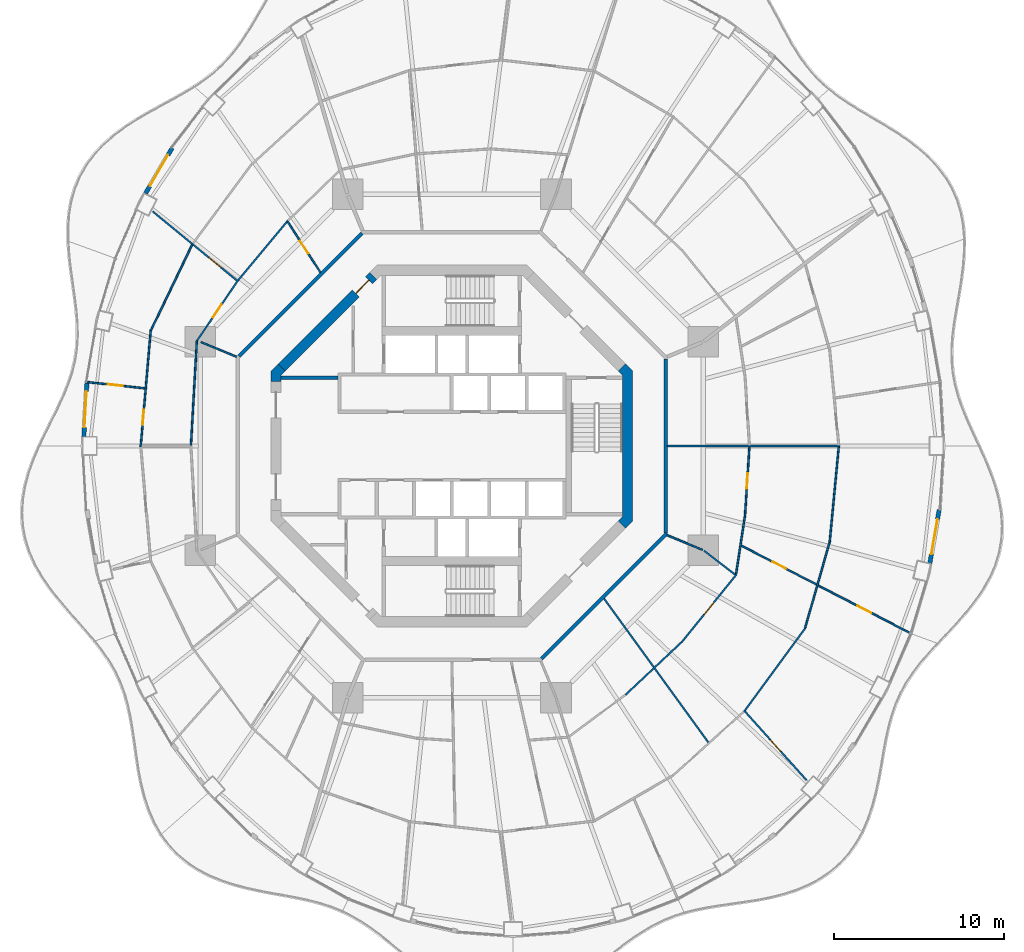
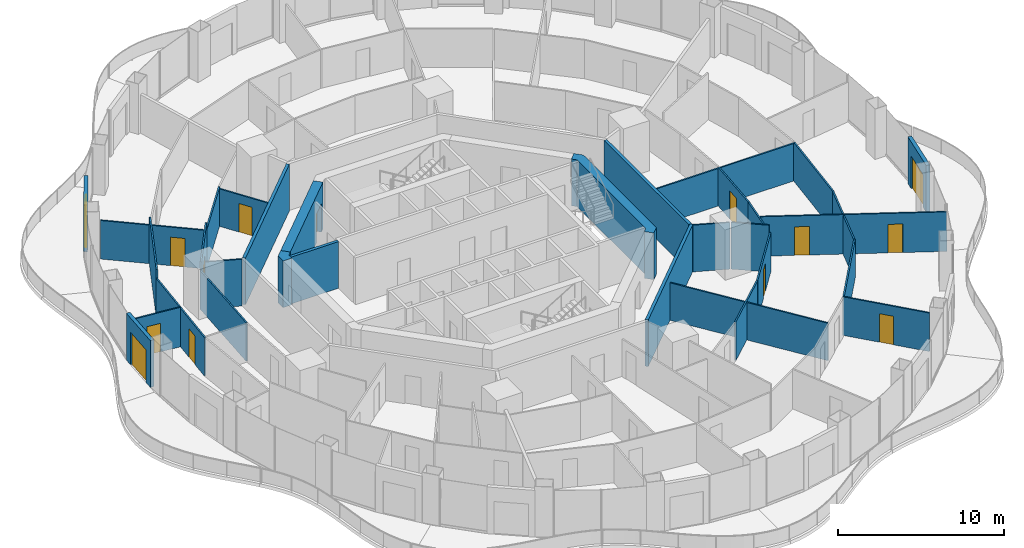
# One storey, part 13 of 19: 32 walls, 14 doors, 14 openings.
"""IFC4 building model written with IfcOpenShell, lengths in metres."""

from ifc_helpers import new_model, si_unit, direction, frame, frame_2d, origin, place, context, subcontext, project, spatial, polyline, rectangle, outline, extrude, material, layer, layer_set, type_object, element, fill, save


model = new_model("IFC4")

# Units and contexts
model_context = context("Model", 3, precision=1e-05, world=origin(), true_north=direction((0.0, 1.0)))
body_context = subcontext(model_context, "Body", "Model", "MODEL_VIEW")
ifc_project = project(units=[si_unit("LENGTHUNIT", "METRE"), si_unit("AREAUNIT", "SQUARE_METRE"), si_unit("VOLUMEUNIT", "CUBIC_METRE"), si_unit("PLANEANGLEUNIT", "RADIAN"), si_unit("MASSUNIT", "GRAM", prefix="KILO")], contexts=[model_context])

# Site, building, storey
site_placement = place(None, origin())
site = spatial("IfcSite", under=ifc_project, at=site_placement, CompositionType="ELEMENT")
building_placement = place(site_placement, origin())
building = spatial("IfcBuilding", under=site, at=building_placement, Name="Nagisa Residences", CompositionType="ELEMENT")
storey_placement = place(building_placement, frame((0.0, 0.0, 199.199951171875)))
storey = spatial("IfcBuildingStorey", under=building, at=storey_placement, Name="L50", CompositionType="ELEMENT", Elevation=199.199951171875)

# Walls
ifc_material_1 = material(Name="Gypsum board on steel studs", Category="steel")
ifc_layer_1 = layer(ifc_material_1, 0.199951171875)
ifc_layer_set_1 = layer_set([ifc_layer_1], Name="Apartment entry wall EI60 200")
wall_type_1 = type_object("IfcWallType", Name="Apartment entry wall EI60 200", PredefinedType="PARTITIONING", material=ifc_layer_set_1)
wall_1_placement = place(storey_placement, frame((12.564697265625, -5.1044921875, 0.0), z_axis=(0.0, 0.0, 1.0), x_axis=(0.0, 1.0, 0.0)))
element("IfcWall", 1, at=wall_1_placement, inside=storey, type_object=wall_type_1, Name="wall:L50:u06", PredefinedType="PARTITIONING", context=body_context, shape_type="SweptSolid", body=[
    extrude(rectangle(XDim=10.208984375, YDim=0.199951171875, at=frame_2d((5.1044921875, 0.0))), origin(), (0.0, 0.0, 1.0), 3.43994140625),
])
wall_2_placement = place(storey_placement, frame((-5.275146484375, 12.494140625, 0.0), z_axis=(0.0, 0.0, 1.0), x_axis=(-0.707106781187, -0.707106781187, 0.0)))
element("IfcWall", 2, at=wall_2_placement, inside=storey, type_object=wall_type_1, Name="wall:L50:u09", PredefinedType="PARTITIONING", context=body_context, shape_type="SweptSolid", body=[
    extrude(rectangle(XDim=10.209228515625, YDim=0.199951171875, at=frame_2d((5.1044921875, 0.0))), origin(), (0.0, 0.0, 1.0), 3.43994140625),
])
wall_3_placement = place(storey_placement, frame((5.275146484375, -12.494140625, 0.0), z_axis=(0.0, 0.0, 1.0), x_axis=(0.707106781187, 0.707106781187, 0.0)))
element("IfcWall", 3, at=wall_3_placement, inside=storey, type_object=wall_type_1, Name="wall:L50:u13", PredefinedType="PARTITIONING", context=body_context, shape_type="SweptSolid", body=[
    extrude(rectangle(XDim=10.4091796875, YDim=0.199951171875, at=frame_2d((5.20458984375, 0.0))), origin(), (0.0, 0.0, 1.0), 3.43994140625),
])
ifc_material_2 = material(Name="Gypsum board on steel studs", Category="steel")
ifc_layer_2 = layer(ifc_material_2, 0.10009765625)
ifc_layer_set_2 = layer_set([ifc_layer_2], Name="Apartment partition 100")
wall_type_2 = type_object("IfcWallType", Name="Apartment partition 100", PredefinedType="PARTITIONING", material=ifc_layer_set_2)
wall_4_placement = place(storey_placement, frame((12.664794921875, 0.0, 0.0), z_axis=(0.0, 0.0, 1.0), x_axis=(1.0, 0.0, 0.0)))
element("IfcWall", 4, at=wall_4_placement, inside=storey, type_object=wall_type_2, Name="wall:L50:u14", PredefinedType="PARTITIONING", context=body_context, shape_type="SweptSolid", body=[
    extrude(rectangle(XDim=10.124267578125, YDim=0.10009765625, at=frame_2d((5.06201171875, 0.0))), origin(), (0.0, 0.0, 1.0), 2.756103515625),
])

# Wall, opening, door
wall_5_placement = place(storey_placement, frame((17.484619140625, -0.0498046875, 0.0), z_axis=(0.0, 0.0, 1.0), x_axis=(-0.063673473968, -0.997970785501, 0.0)))
wall_5 = element("IfcWall", 5, at=wall_5_placement, inside=storey, type_object=wall_type_2, Name="wall:L50:u16", PredefinedType="PARTITIONING", context=body_context, shape_type="SweptSolid", body=[
    extrude(rectangle(XDim=4.072021484375, YDim=0.10009765625, at=frame_2d((2.0361328125, 0.0))), origin(), (0.0, 0.0, 1.0), 2.837158203125),
])
opening_1_placement = place(wall_5_placement, frame((1.560791015625, 0.0, 0.0)))
opening_1 = element("IfcOpeningElement", 6, at=opening_1_placement, cuts=wall_5, Name="Opening L50-U20", PredefinedType="OPENING", context=body_context, shape_type="SweptSolid", body=[
    extrude(rectangle(XDim=0.89990234375, YDim=2.10009765625, at=frame_2d((0.449951171875, 1.050048828125))), frame((0.0, 0.06005859375, 0.0), z_axis=(0.0, -1.0, 0.0), x_axis=(1.0, 0.0, 0.0)), (0.0, 0.0, 1.0), 0.1201171875),
])
ifc_material_3 = material(Name="Timber door set", Category="wood")
door_type_1 = type_object("IfcDoorType", Name="Apartment door 900x2100", OperationType="NOTDEFINED", PredefinedType="DOOR", material=ifc_material_3)
door_1_placement = place(opening_1_placement, frame((0.89990234375, 0.0, 0.0), x_axis=(-1.0, 0.0, 0.0)))
door_1 = element("IfcDoor", 7, at=door_1_placement, inside=storey, type_object=door_type_1, Name="Door to store, Apartment 50A", OperationType="SINGLE_SWING_LEFT", OverallHeight=2.10009765625, OverallWidth=0.89990234375, PredefinedType="DOOR", context=body_context, shape_type="SweptSolid", body=[
    extrude(rectangle(XDim=0.89990234375, YDim=2.10009765625, at=frame_2d((0.449951171875, 1.050048828125))), frame((0.0, 0.02490234375, 0.0), z_axis=(0.0, -1.0, 0.0), x_axis=(1.0, 0.0, 0.0)), (0.0, 0.0, 1.0), 0.050048828125),
])
fill(opening_1, door_1)

# Wall
wall_6_placement = place(storey_placement, frame((22.734375, -0.0498046875, 0.0), z_axis=(0.0, 0.0, 1.0), x_axis=(-0.0949274088, -0.995484197292, 0.0)))
element("IfcWall", 8, at=wall_6_placement, inside=storey, type_object=wall_type_2, Name="wall:L50:u18", PredefinedType="PARTITIONING", context=body_context, shape_type="SweptSolid", body=[
    extrude(rectangle(XDim=5.647705078125, YDim=0.10009765625, at=frame_2d((2.82373046875, 0.0))), origin(), (0.0, 0.0, 1.0), 2.837158203125),
])

# Wall, opening, door
wall_7_placement = place(storey_placement, frame((-7.71240234375, 10.1953125, 0.0), z_axis=(0.0, 0.0, 1.0), x_axis=(-0.544170086001, 0.838974920663, 0.0)))
wall_7 = element("IfcWall", 9, at=wall_7_placement, inside=storey, type_object=wall_type_2, Name="wall:L50:u42", PredefinedType="PARTITIONING", context=body_context, shape_type="SweptSolid", body=[
    extrude(rectangle(XDim=3.535400390625, YDim=0.10009765625, at=frame_2d((1.767578125, 0.0))), origin(), (0.0, 0.0, 1.0), 2.756103515625),
])
opening_2_placement = place(wall_7_placement, frame((1.317626953125, 0.0, 0.0)))
opening_2 = element("IfcOpeningElement", 10, at=opening_2_placement, cuts=wall_7, Name="Opening L50-U49", PredefinedType="OPENING", context=body_context, shape_type="SweptSolid", body=[
    extrude(rectangle(XDim=0.89990234375, YDim=2.10009765625, at=frame_2d((0.449951171875, 1.050048828125))), frame((0.0, 0.06005859375, 0.0), z_axis=(0.0, -1.0, 0.0), x_axis=(1.0, 0.0, 0.0)), (0.0, 0.0, 1.0), 0.1201171875),
])
door_2_placement = place(opening_2_placement, frame((0.89990234375, 0.0, 0.0), x_axis=(-1.0, 0.0, 0.0)))
door_2 = element("IfcDoor", 11, at=door_2_placement, inside=storey, type_object=door_type_1, Name="Door to store, Apartment 50C", OperationType="SINGLE_SWING_RIGHT", OverallHeight=2.10009765625, OverallWidth=0.89990234375, PredefinedType="DOOR", context=body_context, shape_type="SweptSolid", body=[
    extrude(rectangle(XDim=0.89990234375, YDim=2.10009765625, at=frame_2d((0.449951171875, 1.050048828125))), frame((0.0, 0.02490234375, 0.0), z_axis=(0.0, -1.0, 0.0), x_axis=(1.0, 0.0, 0.0)), (0.0, 0.0, 1.0), 0.050048828125),
])
fill(opening_2, door_2)

# Wall
wall_8_placement = place(storey_placement, frame((-9.63134765625, 13.24169921875, 0.0), z_axis=(0.0, 0.0, 1.0), x_axis=(-0.640315711982, -0.768111833647, 0.0)))
element("IfcWall", 12, at=wall_8_placement, inside=storey, type_object=wall_type_2, Name="wall:L50:u43", PredefinedType="PARTITIONING", context=body_context, shape_type="SweptSolid", body=[
    extrude(rectangle(XDim=4.571533203125, YDim=0.10009765625, at=frame_2d((2.28564453125, 0.0))), origin(), (0.0, 0.0, 1.0), 2.837158203125),
])

# Wall, opening, door
wall_9_placement = place(storey_placement, frame((-12.552001953125, 9.66015625, 0.0), z_axis=(0.0, 0.0, 1.0), x_axis=(-0.773134336716, 0.634242301799, 0.0)))
wall_9 = element("IfcWall", 13, at=wall_9_placement, inside=storey, type_object=wall_type_2, Name="wall:L50:u45", PredefinedType="PARTITIONING", context=body_context, shape_type="SweptSolid", body=[
    extrude(rectangle(XDim=6.494873046875, YDim=0.10009765625, at=frame_2d((3.24755859375, 0.0))), origin(), (0.0, 0.0, 1.0), 2.837158203125),
])
opening_3_placement = place(wall_9_placement, frame((1.310302734375, 0.0, 0.0)))
opening_3 = element("IfcOpeningElement", 14, at=opening_3_placement, cuts=wall_9, Name="Opening L50-U47", PredefinedType="OPENING", context=body_context, shape_type="SweptSolid", body=[
    extrude(rectangle(XDim=0.89990234375, YDim=2.10009765625, at=frame_2d((0.449951171875, 1.050048828125))), frame((0.0, 0.06005859375, 0.0), z_axis=(0.0, -1.0, 0.0), x_axis=(1.0, 0.0, 0.0)), (0.0, 0.0, 1.0), 0.1201171875),
])
door_3_placement = place(opening_3_placement, frame((0.89990234375, 0.0, 0.0), x_axis=(-1.0, 0.0, 0.0)))
door_3 = element("IfcDoor", 15, at=door_3_placement, inside=storey, type_object=door_type_1, Name="Door to dining room, Apartment 50C", OperationType="SINGLE_SWING_RIGHT", OverallHeight=2.10009765625, OverallWidth=0.89990234375, PredefinedType="DOOR", context=body_context, shape_type="SweptSolid", body=[
    extrude(rectangle(XDim=0.89990234375, YDim=2.10009765625, at=frame_2d((0.449951171875, 1.050048828125))), frame((0.0, 0.02490234375, 0.0), z_axis=(0.0, -1.0, 0.0), x_axis=(1.0, 0.0, 0.0)), (0.0, 0.0, 1.0), 0.050048828125),
])
fill(opening_3, door_3)

wall_10_placement = place(storey_placement, frame((-12.61865234375, 9.650390625, 0.0), z_axis=(0.0, 0.0, 1.0), x_axis=(-0.561064907171, -0.827771810308, 0.0)))
wall_10 = element("IfcWall", 16, at=wall_10_placement, inside=storey, type_object=wall_type_2, Name="wall:L50:u46", PredefinedType="PARTITIONING", context=body_context, shape_type="SweptSolid", body=[
    extrude(rectangle(XDim=4.15869140625, YDim=0.10009765625, at=frame_2d((2.079345703125, 0.0))), origin(), (0.0, 0.0, 1.0), 3.43994140625),
])
opening_4_placement = place(wall_10_placement, frame((1.62939453125, 0.0, 0.0)))
opening_4 = element("IfcOpeningElement", 17, at=opening_4_placement, cuts=wall_10, Name="Opening L50-U46", PredefinedType="OPENING", context=body_context, shape_type="SweptSolid", body=[
    extrude(rectangle(XDim=0.89990234375, YDim=2.10009765625, at=frame_2d((0.449951171875, 1.050048828125))), frame((0.0, 0.06005859375, 0.0), z_axis=(0.0, -1.0, 0.0), x_axis=(1.0, 0.0, 0.0)), (0.0, 0.0, 1.0), 0.1201171875),
])
door_4_placement = place(opening_4_placement, origin())
door_4 = element("IfcDoor", 18, at=door_4_placement, inside=storey, type_object=door_type_1, Name="Door to laundry, Apartment 50C", OperationType="SINGLE_SWING_RIGHT", OverallHeight=2.10009765625, OverallWidth=0.89990234375, PredefinedType="DOOR", context=body_context, shape_type="SweptSolid", body=[
    extrude(rectangle(XDim=0.89990234375, YDim=2.10009765625, at=frame_2d((0.449951171875, 1.050048828125))), frame((0.0, 0.02490234375, 0.0), z_axis=(0.0, -1.0, 0.0), x_axis=(1.0, 0.0, 0.0)), (0.0, 0.0, 1.0), 0.050048828125),
])
fill(opening_4, door_4)

# Walls
wall_11_placement = place(storey_placement, frame((-15.2568359375, 11.816162109375, 0.0), z_axis=(0.0, 0.0, 1.0), x_axis=(-0.434040130629, -0.900893536997, 0.0)))
element("IfcWall", 19, at=wall_11_placement, inside=storey, type_object=wall_type_2, Name="wall:L50:u47", PredefinedType="PARTITIONING", context=body_context, shape_type="SweptSolid", body=[
    extrude(rectangle(XDim=5.557861328125, YDim=0.10009765625, at=frame_2d((2.77880859375, 0.0))), origin(), (0.0, 0.0, 1.0), 3.43994140625),
])
wall_12_placement = place(storey_placement, frame((-12.6572265625, 5.24267578125, 0.0), z_axis=(0.0, 0.0, 1.0), x_axis=(-0.923864733477, 0.382719158442, 0.0)))
element("IfcWall", 20, at=wall_12_placement, inside=storey, type_object=wall_type_2, Name="wall:L50:u48", PredefinedType="PARTITIONING", context=body_context, shape_type="SweptSolid", body=[
    extrude(rectangle(XDim=2.25, YDim=0.10009765625, at=frame_2d((1.125, 0.0))), origin(), (0.0, 0.0, 1.0), 3.43994140625),
])
wall_13_placement = place(storey_placement, frame((-14.97705078125, 6.216552734375, 0.0), z_axis=(0.0, 0.0, 1.0), x_axis=(-0.056325971574, -0.998412432277, 0.0)))
element("IfcWall", 21, at=wall_13_placement, inside=storey, type_object=wall_type_2, Name="wall:L50:u49", PredefinedType="PARTITIONING", context=body_context, shape_type="SweptSolid", body=[
    extrude(rectangle(XDim=6.176513671875, YDim=0.10009765625, at=frame_2d((3.08837890625, 0.0))), origin(), (0.0, 0.0, 1.0), 2.837158203125),
])

# Wall, opening, door
wall_14_placement = place(storey_placement, frame((-17.686767578125, 6.813720703125, 0.0), z_axis=(0.0, 0.0, 1.0), x_axis=(-0.086010249709, -0.996294252189, 0.0)))
wall_14 = element("IfcWall", 22, at=wall_14_placement, inside=storey, type_object=wall_type_2, Name="wall:L50:u50", PredefinedType="PARTITIONING", context=body_context, shape_type="SweptSolid", body=[
    extrude(rectangle(XDim=6.88916015625, YDim=0.10009765625, at=frame_2d((3.444580078125, 0.0))), origin(), (0.0, 0.0, 1.0), 2.837158203125),
])
opening_5_placement = place(wall_14_placement, frame((4.69189453125, 0.0, 0.0)))
opening_5 = element("IfcOpeningElement", 23, at=opening_5_placement, cuts=wall_14, Name="Opening L50-U43", PredefinedType="OPENING", context=body_context, shape_type="SweptSolid", body=[
    extrude(rectangle(XDim=0.89990234375, YDim=2.10009765625, at=frame_2d((0.449951171875, 1.050048828125))), frame((0.0, 0.06005859375, 0.0), z_axis=(0.0, -1.0, 0.0), x_axis=(1.0, 0.0, 0.0)), (0.0, 0.0, 1.0), 0.1201171875),
])
door_5_placement = place(opening_5_placement, origin())
door_5 = element("IfcDoor", 24, at=door_5_placement, inside=storey, type_object=door_type_1, Name="Door to kitchen, Apartment 50C", OperationType="SINGLE_SWING_LEFT", OverallHeight=2.10009765625, OverallWidth=0.89990234375, PredefinedType="DOOR", context=body_context, shape_type="SweptSolid", body=[
    extrude(rectangle(XDim=0.89990234375, YDim=2.10009765625, at=frame_2d((0.449951171875, 1.050048828125))), frame((0.0, 0.02490234375, 0.0), z_axis=(0.0, -1.0, 0.0), x_axis=(1.0, 0.0, 0.0)), (0.0, 0.0, 1.0), 0.050048828125),
])
fill(opening_5, door_5)

wall_15_placement = place(storey_placement, frame((-18.03271484375, 3.387451171875, 0.0), z_axis=(0.0, 0.0, 1.0), x_axis=(-0.994194772207, 0.107595329438, 0.0)))
wall_15 = element("IfcWall", 25, at=wall_15_placement, inside=storey, type_object=wall_type_2, Name="wall:L50:u51", PredefinedType="PARTITIONING", context=body_context, shape_type="SweptSolid", body=[
    extrude(rectangle(XDim=3.505615234375, YDim=0.10009765625, at=frame_2d((1.7529296875, 0.0))), origin(), (0.0, 0.0, 1.0), 2.905029296875),
])
opening_6_placement = place(wall_15_placement, frame((1.302978515625, 0.0, 0.0)))
opening_6 = element("IfcOpeningElement", 26, at=opening_6_placement, cuts=wall_15, Name="Opening L50-U45", PredefinedType="OPENING", context=body_context, shape_type="SweptSolid", body=[
    extrude(rectangle(XDim=0.89990234375, YDim=2.10009765625, at=frame_2d((0.449951171875, 1.050048828125))), frame((0.0, 0.06005859375, 0.0), z_axis=(0.0, -1.0, 0.0), x_axis=(1.0, 0.0, 0.0)), (0.0, 0.0, 1.0), 0.1201171875),
])
door_6_placement = place(opening_6_placement, frame((0.89990234375, 0.0, 0.0), x_axis=(-1.0, 0.0, 0.0)))
door_6 = element("IfcDoor", 27, at=door_6_placement, inside=storey, type_object=door_type_1, Name="Door to bedroom, Apartment 50C", OperationType="SINGLE_SWING_RIGHT", OverallHeight=2.10009765625, OverallWidth=0.89990234375, PredefinedType="DOOR", context=body_context, shape_type="SweptSolid", body=[
    extrude(rectangle(XDim=0.89990234375, YDim=2.10009765625, at=frame_2d((0.449951171875, 1.050048828125))), frame((0.0, 0.02490234375, 0.0), z_axis=(0.0, -1.0, 0.0), x_axis=(1.0, 0.0, 0.0)), (0.0, 0.0, 1.0), 0.050048828125),
])
fill(opening_6, door_6)

# Walls
wall_16_placement = place(storey_placement, frame((10.21044921875, -14.614013671875, 0.0), z_axis=(0.0, 0.0, 1.0), x_axis=(0.728883199496, 0.684638066055, 0.0)))
element("IfcWall", 28, at=wall_16_placement, inside=storey, type_object=wall_type_2, Name="wall:L50:u81", PredefinedType="PARTITIONING", context=body_context, shape_type="SweptSolid", body=[
    extrude(rectangle(XDim=4.519287109375, YDim=0.10009765625, at=frame_2d((2.259765625, 0.0))), origin(), (0.0, 0.0, 1.0), 2.837158203125),
])
wall_17_placement = place(storey_placement, frame((8.943359375, -8.965576171875, 0.0), z_axis=(0.0, 0.0, 1.0), x_axis=(0.587181355751, -0.809455406714, 0.0)))
element("IfcWall", 29, at=wall_17_placement, inside=storey, type_object=wall_type_2, Name="wall:L50:u83", PredefinedType="PARTITIONING", context=body_context, shape_type="SweptSolid", body=[
    extrude(rectangle(XDim=10.441162109375, YDim=0.10009765625, at=frame_2d((5.220703125, 0.0))), origin(), (0.0, 0.0, 1.0), 2.756103515625),
])

# Wall, opening, door
wall_18_placement = place(storey_placement, frame((13.50927734375, -11.524658203125, 0.0), z_axis=(0.0, 0.0, 1.0), x_axis=(0.628778729481, 0.777584277974, 0.0)))
wall_18 = element("IfcWall", 30, at=wall_18_placement, inside=storey, type_object=wall_type_2, Name="wall:L50:u84", PredefinedType="PARTITIONING", context=body_context, shape_type="SweptSolid", body=[
    extrude(rectangle(XDim=5.107421875, YDim=0.10009765625, at=frame_2d((2.5537109375, 0.0))), origin(), (0.0, 0.0, 1.0), 2.837158203125),
])
opening_7_placement = place(wall_18_placement, frame((2.103759765625, 0.0, 0.0)))
opening_7 = element("IfcOpeningElement", 31, at=opening_7_placement, cuts=wall_18, Name="Opening L50-U19", PredefinedType="OPENING", context=body_context, shape_type="SweptSolid", body=[
    extrude(rectangle(XDim=0.89990234375, YDim=2.10009765625, at=frame_2d((0.449951171875, 1.050048828125))), frame((0.0, 0.06005859375, 0.0), z_axis=(0.0, -1.0, 0.0), x_axis=(1.0, 0.0, 0.0)), (0.0, 0.0, 1.0), 0.1201171875),
])
door_7_placement = place(opening_7_placement, origin())
door_7 = element("IfcDoor", 32, at=door_7_placement, inside=storey, type_object=door_type_1, Name="Door to laundry, Apartment 50A", OperationType="SINGLE_SWING_LEFT", OverallHeight=2.10009765625, OverallWidth=0.89990234375, PredefinedType="DOOR", context=body_context, shape_type="SweptSolid", body=[
    extrude(rectangle(XDim=0.89990234375, YDim=2.10009765625, at=frame_2d((0.449951171875, 1.050048828125))), frame((0.0, 0.02490234375, 0.0), z_axis=(0.0, -1.0, 0.0), x_axis=(1.0, 0.0, 0.0)), (0.0, 0.0, 1.0), 0.050048828125),
])
fill(opening_7, door_7)

wall_19_placement = place(storey_placement, frame((17.16552734375, -15.53173828125, 0.0), z_axis=(0.0, 0.0, 1.0), x_axis=(0.66728415915, -0.744803229684, 0.0)))
wall_19 = element("IfcWall", 33, at=wall_19_placement, inside=storey, type_object=wall_type_2, Name="wall:L50:u85", PredefinedType="PARTITIONING", context=body_context, shape_type="SweptSolid", body=[
    extrude(rectangle(XDim=5.511474609375, YDim=0.10009765625, at=frame_2d((2.755859375, 0.0))), origin(), (0.0, 0.0, 1.0), 2.837158203125),
])
opening_8_placement = place(wall_19_placement, frame((2.330810546875, 0.0, 0.0)))
opening_8 = element("IfcOpeningElement", 34, at=opening_8_placement, cuts=wall_19, Name="Opening L50-U10", PredefinedType="OPENING", context=body_context, shape_type="SweptSolid", body=[
    extrude(rectangle(XDim=0.89990234375, YDim=2.10009765625, at=frame_2d((0.449951171875, 1.050048828125))), frame((0.0, 0.06005859375, 0.0), z_axis=(0.0, -1.0, 0.0), x_axis=(1.0, 0.0, 0.0)), (0.0, 0.0, 1.0), 0.1201171875),
])
door_8_placement = place(opening_8_placement, origin())
door_8 = element("IfcDoor", 35, at=door_8_placement, inside=storey, type_object=door_type_1, Name="Door to dining room, Apartment 50A", OperationType="SINGLE_SWING_RIGHT", OverallHeight=2.10009765625, OverallWidth=0.89990234375, PredefinedType="DOOR", context=body_context, shape_type="SweptSolid", body=[
    extrude(rectangle(XDim=0.89990234375, YDim=2.10009765625, at=frame_2d((0.449951171875, 1.050048828125))), frame((0.0, 0.02490234375, 0.0), z_axis=(0.0, -1.0, 0.0), x_axis=(1.0, 0.0, 0.0)), (0.0, 0.0, 1.0), 0.050048828125),
])
fill(opening_8, door_8)

# Walls
wall_20_placement = place(storey_placement, frame((17.228515625, -15.528564453125, 0.0), z_axis=(0.0, 0.0, 1.0), x_axis=(0.591117075283, 0.806585769345, 0.0)))
element("IfcWall", 36, at=wall_20_placement, inside=storey, type_object=wall_type_2, Name="wall:L50:u86", PredefinedType="PARTITIONING", context=body_context, shape_type="SweptSolid", body=[
    extrude(rectangle(XDim=6.009765625, YDim=0.10009765625, at=frame_2d((3.0048828125, 0.0))), origin(), (0.0, 0.0, 1.0), 2.837158203125),
])
wall_21_placement = place(storey_placement, frame((12.6572265625, -5.24267578125, 0.0), z_axis=(0.0, 0.0, 1.0), x_axis=(0.923826362943, -0.382811769845, 0.0)))
element("IfcWall", 37, at=wall_21_placement, inside=storey, type_object=wall_type_2, Name="wall:L50:u87", PredefinedType="PARTITIONING", context=body_context, shape_type="SweptSolid", body=[
    extrude(rectangle(XDim=2.25, YDim=0.10009765625, at=frame_2d((1.125, 0.0))), origin(), (0.0, 0.0, 1.0), 3.43994140625),
])
wall_22_placement = place(storey_placement, frame((14.82177734375, -6.153564453125, 0.0), z_axis=(0.0, 0.0, 1.0), x_axis=(0.792226528082, -0.610227111987, 0.0)))
element("IfcWall", 38, at=wall_22_placement, inside=storey, type_object=wall_type_2, Name="wall:L50:u88", PredefinedType="PARTITIONING", context=body_context, shape_type="SweptSolid", body=[
    extrude(rectangle(XDim=2.307373046875, YDim=0.10009765625, at=frame_2d((1.15380859375, 0.0))), origin(), (0.0, 0.0, 1.0), 3.43994140625),
])
wall_23_placement = place(storey_placement, frame((16.69677734375, -7.542724609375, 0.0), z_axis=(0.0, 0.0, 1.0), x_axis=(0.151078880423, 0.988521710379, 0.0)))
element("IfcWall", 39, at=wall_23_placement, inside=storey, type_object=wall_type_2, Name="wall:L50:u89", PredefinedType="PARTITIONING", context=body_context, shape_type="SweptSolid", body=[
    extrude(rectangle(XDim=3.469482421875, YDim=0.10009765625, at=frame_2d((1.73486328125, 0.0))), origin(), (0.0, 0.0, 1.0), 2.837158203125),
])
wall_24_placement = place(storey_placement, frame((20.76513671875, -10.67333984375, 0.0), z_axis=(0.0, 0.0, 1.0), x_axis=(0.273815967041, 0.961782104322, 0.0)))
element("IfcWall", 40, at=wall_24_placement, inside=storey, type_object=wall_type_2, Name="wall:L50:u90", PredefinedType="PARTITIONING", context=body_context, shape_type="SweptSolid", body=[
    extrude(rectangle(XDim=5.20166015625, YDim=0.10009765625, at=frame_2d((2.600830078125, 0.0))), origin(), (0.0, 0.0, 1.0), 2.837158203125),
])

# Wall, openings, doors
wall_25_placement = place(storey_placement, frame((17.003173828125, -5.850830078125, 0.0), z_axis=(0.0, 0.0, 1.0), x_axis=(0.888005628038, -0.4598325832, 0.0)))
wall_25 = element("IfcWall", 41, at=wall_25_placement, inside=storey, type_object=wall_type_2, Name="wall:L50:u91", PredefinedType="PARTITIONING", context=body_context, shape_type="SweptSolid", body=[
    extrude(rectangle(XDim=11.266357421875, YDim=0.10009765625, at=frame_2d((5.63330078125, 0.0))), origin(), (0.0, 0.0, 1.0), 2.905029296875),
])
opening_9_placement = place(wall_25_placement, frame((7.703369140625, 0.0, 0.0)))
opening_9 = element("IfcOpeningElement", 42, at=opening_9_placement, cuts=wall_25, Name="Opening L50-U11", PredefinedType="OPENING", context=body_context, shape_type="SweptSolid", body=[
    extrude(rectangle(XDim=0.89990234375, YDim=2.10009765625, at=frame_2d((0.449951171875, 1.050048828125))), frame((0.0, 0.06005859375, 0.0), z_axis=(0.0, -1.0, 0.0), x_axis=(1.0, 0.0, 0.0)), (0.0, 0.0, 1.0), 0.1201171875),
])
opening_10_placement = place(wall_25_placement, frame((2.070068359375, 0.0, 0.0)))
opening_10 = element("IfcOpeningElement", 43, at=opening_10_placement, cuts=wall_25, Name="Opening L50-U15", PredefinedType="OPENING", context=body_context, shape_type="SweptSolid", body=[
    extrude(rectangle(XDim=0.89990234375, YDim=2.10009765625, at=frame_2d((0.449951171875, 1.050048828125))), frame((0.0, 0.06005859375, 0.0), z_axis=(0.0, -1.0, 0.0), x_axis=(1.0, 0.0, 0.0)), (0.0, 0.0, 1.0), 0.1201171875),
])
door_9_placement = place(opening_9_placement, origin())
door_9 = element("IfcDoor", 44, at=door_9_placement, inside=storey, type_object=door_type_1, Name="Door to living room, Apartment 50A", OperationType="SINGLE_SWING_LEFT", OverallHeight=2.10009765625, OverallWidth=0.89990234375, PredefinedType="DOOR", context=body_context, shape_type="SweptSolid", body=[
    extrude(rectangle(XDim=0.89990234375, YDim=2.10009765625, at=frame_2d((0.449951171875, 1.050048828125))), frame((0.0, 0.02490234375, 0.0), z_axis=(0.0, -1.0, 0.0), x_axis=(1.0, 0.0, 0.0)), (0.0, 0.0, 1.0), 0.050048828125),
])
fill(opening_9, door_9)
door_10_placement = place(opening_10_placement, origin())
door_10 = element("IfcDoor", 45, at=door_10_placement, inside=storey, type_object=door_type_1, Name="Door to kitchen, Apartment 50A", OperationType="SINGLE_SWING_LEFT", OverallHeight=2.10009765625, OverallWidth=0.89990234375, PredefinedType="DOOR", context=body_context, shape_type="SweptSolid", body=[
    extrude(rectangle(XDim=0.89990234375, YDim=2.10009765625, at=frame_2d((0.449951171875, 1.050048828125))), frame((0.0, 0.02490234375, 0.0), z_axis=(0.0, -1.0, 0.0), x_axis=(1.0, 0.0, 0.0)), (0.0, 0.0, 1.0), 0.050048828125),
])
fill(opening_10, door_10)

# Wall, opening, door
ifc_material_4 = material(Name="Precast concrete C40/50", Category="concrete")
ifc_layer_3 = layer(ifc_material_4, 0.25)
ifc_layer_set_3 = layer_set([ifc_layer_3], Name="BALCONY DOOR WALL 250")
wall_type_3 = type_object("IfcWallType", Name="BALCONY DOOR WALL 250", PredefinedType="SOLIDWALL", material=ifc_layer_set_3)
wall_26_placement = place(storey_placement, frame((-17.989013671875, 14.848388671875, 0.0), z_axis=(0.0, 0.0, 1.0), x_axis=(0.506309086483, 0.862352079458, 0.0)))
wall_26 = element("IfcWall", 46, at=wall_26_placement, inside=storey, type_object=wall_type_3, Name="wall:L50:bay19", PredefinedType="SOLIDWALL", context=body_context, shape_type="SweptSolid", body=[
    extrude(rectangle(XDim=3.091796875, YDim=0.25, at=frame_2d((1.5458984375, 0.0))), origin(), (0.0, 0.0, 1.0), 3.43994140625),
])
opening_11_placement = place(wall_26_placement, frame((0.495849609375, 0.0, 0.0)))
opening_11 = element("IfcOpeningElement", 47, at=opening_11_placement, cuts=wall_26, Name="Opening BD-L50-07", PredefinedType="OPENING", context=body_context, shape_type="SweptSolid", body=[
    extrude(rectangle(XDim=2.10009765625, YDim=2.39990234375, at=frame_2d((1.050048828125, 1.199951171875))), frame((0.0, 0.135009765625, 0.0), z_axis=(0.0, -1.0, 0.0), x_axis=(1.0, 0.0, 0.0)), (0.0, 0.0, 1.0), 0.27001953125),
])
ifc_material_5 = material(Name="Aluminium and clear glass", Category="aluminium")
door_type_2 = type_object("IfcDoorType", Name="BALCONY SLIDING DOOR 2100x2400", OperationType="SLIDING_TO_LEFT", PredefinedType="DOOR", material=ifc_material_5)
door_11_placement = place(opening_11_placement, origin())
door_11 = element("IfcDoor", 48, at=door_11_placement, inside=storey, type_object=door_type_2, Name="door:L50:bay19", OperationType="SLIDING_TO_LEFT", OverallHeight=2.39990234375, OverallWidth=2.10009765625, PredefinedType="DOOR", context=body_context, shape_type="SweptSolid", body=[
    extrude(rectangle(XDim=2.10009765625, YDim=2.39990234375, at=frame_2d((1.050048828125, 1.199951171875))), frame((0.0, 0.02490234375, 0.0), z_axis=(0.0, -1.0, 0.0), x_axis=(1.0, 0.0, 0.0)), (0.0, 0.0, 1.0), 0.050048828125),
])
fill(opening_11, door_11)

wall_27_placement = place(storey_placement, frame((-21.61865234375, 0.5419921875, 0.0), z_axis=(0.0, 0.0, 1.0), x_axis=(0.057532692854, 0.998343622834, 0.0)))
wall_27 = element("IfcWall", 49, at=wall_27_placement, inside=storey, type_object=wall_type_3, Name="wall:L50:bay23", PredefinedType="SOLIDWALL", context=body_context, shape_type="SweptSolid", body=[
    extrude(rectangle(XDim=3.22509765625, YDim=0.25, at=frame_2d((1.612548828125, 0.0))), origin(), (0.0, 0.0, 1.0), 3.43994140625),
])
opening_12_placement = place(wall_27_placement, frame((0.5625, 0.0, 0.0)))
opening_12 = element("IfcOpeningElement", 50, at=opening_12_placement, cuts=wall_27, Name="Opening BD-L50-08", PredefinedType="OPENING", context=body_context, shape_type="SweptSolid", body=[
    extrude(rectangle(XDim=2.10009765625, YDim=2.39990234375, at=frame_2d((1.050048828125, 1.199951171875))), frame((0.0, 0.135009765625, 0.0), z_axis=(0.0, -1.0, 0.0), x_axis=(1.0, 0.0, 0.0)), (0.0, 0.0, 1.0), 0.27001953125),
])
door_12_placement = place(opening_12_placement, origin())
door_12 = element("IfcDoor", 51, at=door_12_placement, inside=storey, type_object=door_type_2, Name="door:L50:bay23", OperationType="SLIDING_TO_LEFT", OverallHeight=2.39990234375, OverallWidth=2.10009765625, PredefinedType="DOOR", context=body_context, shape_type="SweptSolid", body=[
    extrude(rectangle(XDim=2.10009765625, YDim=2.39990234375, at=frame_2d((1.050048828125, 1.199951171875))), frame((0.0, 0.02490234375, 0.0), z_axis=(0.0, -1.0, 0.0), x_axis=(1.0, 0.0, 0.0)), (0.0, 0.0, 1.0), 0.050048828125),
])
fill(opening_12, door_12)

wall_28_placement = place(storey_placement, frame((28.634765625, -3.747314453125, 0.0), z_axis=(0.0, 0.0, 1.0), x_axis=(-0.172149769468, -0.985070787747, 0.0)))
wall_28 = element("IfcWall", 52, at=wall_28_placement, inside=storey, type_object=wall_type_3, Name="wall:L50:bay46", PredefinedType="SOLIDWALL", context=body_context, shape_type="SweptSolid", body=[
    extrude(rectangle(XDim=3.210693359375, YDim=0.25, at=frame_2d((1.60546875, 0.0))), origin(), (0.0, 0.0, 1.0), 3.43994140625),
])
opening_13_placement = place(wall_28_placement, frame((0.555419921875, 0.0, 0.0)))
opening_13 = element("IfcOpeningElement", 53, at=opening_13_placement, cuts=wall_28, Name="Opening BD-L50-16", PredefinedType="OPENING", context=body_context, shape_type="SweptSolid", body=[
    extrude(rectangle(XDim=2.10009765625, YDim=2.39990234375, at=frame_2d((1.050048828125, 1.199951171875))), frame((0.0, 0.135009765625, 0.0), z_axis=(0.0, -1.0, 0.0), x_axis=(1.0, 0.0, 0.0)), (0.0, 0.0, 1.0), 0.27001953125),
])
door_13_placement = place(opening_13_placement, origin())
door_13 = element("IfcDoor", 54, at=door_13_placement, inside=storey, type_object=door_type_2, Name="door:L50:bay46", OperationType="SLIDING_TO_LEFT", OverallHeight=2.39990234375, OverallWidth=2.10009765625, PredefinedType="DOOR", context=body_context, shape_type="SweptSolid", body=[
    extrude(rectangle(XDim=2.10009765625, YDim=2.39990234375, at=frame_2d((1.050048828125, 1.199951171875))), frame((0.0, 0.02490234375, 0.0), z_axis=(0.0, -1.0, 0.0), x_axis=(1.0, 0.0, 0.0)), (0.0, 0.0, 1.0), 0.050048828125),
])
fill(opening_13, door_13)

# Wall
ifc_material_6 = material(Name="Gypsum board on steel studs", Category="steel")
ifc_layer_4 = layer(ifc_material_6, 0.199951171875)
ifc_layer_set_4 = layer_set([ifc_layer_4], Name="Core partition 200")
wall_type_4 = type_object("IfcWallType", Name="Core partition 200", PredefinedType="PARTITIONING", material=ifc_layer_set_4)
wall_29_placement = place(storey_placement, frame((-10.024658203125, 4.0, 0.0), z_axis=(0.0, 0.0, 1.0), x_axis=(1.0, 0.0, 0.0)))
element("IfcWall", 55, at=wall_29_placement, inside=storey, type_object=wall_type_4, Name="wall:L50:PNW", PredefinedType="PARTITIONING", context=body_context, shape_type="SweptSolid", body=[
    extrude(rectangle(XDim=3.32470703125, YDim=0.199951171875, at=frame_2d((1.662353515625, 0.0))), origin(), (0.0, 0.0, 1.0), 3.43994140625),
])

# Wall, opening, door
ifc_material_7 = material(Name="Concrete C60", Category="concrete")
ifc_layer_5 = layer(ifc_material_7, 0.60009765625)
ifc_layer_set_5 = layer_set([ifc_layer_5], Name="Core shear wall 600")
wall_type_5 = type_object("IfcWallType", Name="Core shear wall 600", PredefinedType="SHEAR", material=ifc_layer_set_5)
wall_30_placement = place(storey_placement, frame((-4.613037109375, 9.98828125, 0.0), z_axis=(0.0, 0.0, 1.0), x_axis=(-0.707106781187, -0.707106781187, 0.0)))
wall_30 = element("IfcWall", 56, at=wall_30_placement, inside=storey, type_object=wall_type_5, Name="wall:L50:core:flat3", PredefinedType="SHEAR", context=body_context, shape_type="SweptSolid", body=[
    extrude(rectangle(XDim=7.601806640625, YDim=0.60009765625, at=frame_2d((3.80078125, 0.0))), origin(), (0.0, 0.0, 1.0), 3.43994140625),
])
opening_14_placement = place(wall_30_placement, frame((0.350830078125, 0.0, 0.0)))
opening_14 = element("IfcOpeningElement", 57, at=opening_14_placement, cuts=wall_30, Name="Opening L50-C22", PredefinedType="OPENING", context=body_context, shape_type="SweptSolid", body=[
    extrude(rectangle(XDim=1.10009765625, YDim=2.10009765625, at=frame_2d((0.550048828125, 1.050048828125))), frame((0.0, 0.31005859375, 0.0), z_axis=(0.0, -1.0, 0.0), x_axis=(1.0, 0.0, 0.0)), (0.0, 0.0, 1.0), 0.6201171875),
])
ifc_material_8 = material(Name="Steel fire door", Category="steel")
door_type_3 = type_object("IfcDoorType", Name="Fire door EI60 1100x2100 single swing", OperationType="NOTDEFINED", PredefinedType="DOOR", material=ifc_material_8)
door_14_placement = place(opening_14_placement, origin())
door_14 = element("IfcDoor", 58, at=door_14_placement, inside=storey, type_object=door_type_3, Name="Service lobby door L50", OperationType="SINGLE_SWING_RIGHT", OverallHeight=2.10009765625, OverallWidth=1.10009765625, PredefinedType="DOOR", context=body_context, shape_type="SweptSolid", body=[
    extrude(rectangle(XDim=1.10009765625, YDim=2.10009765625, at=frame_2d((0.550048828125, 1.050048828125))), frame((0.0, 0.02490234375, 0.0), z_axis=(0.0, -1.0, 0.0), x_axis=(1.0, 0.0, 0.0)), (0.0, 0.0, 1.0), 0.050048828125),
])
fill(opening_14, door_14)

# Walls
wall_31_placement = place(storey_placement, origin())
element("IfcWall", 59, at=wall_31_placement, inside=storey, type_object=wall_type_5, Name="wall:L50:core:pier3", PredefinedType="SHEAR", context=body_context, shape_type="SweptSolid", body=[
    extrude(outline(polyline([(-10.200439453125, 4.8251953125), (-9.776123046875, 4.40087890625), (-10.024658203125, 4.15234375), (-10.024658203125, 3.80078125), (-10.62451171875, 3.80078125), (-10.62451171875, 4.40087890625), (-10.200439453125, 4.8251953125)])), origin(), (0.0, 0.0, 1.0), 3.43994140625),
])
wall_32_placement = place(storey_placement, origin())
element("IfcWall", 60, at=wall_32_placement, inside=storey, type_object=wall_type_5, Name="wall:L50:core:flat0", PredefinedType="SHEAR", context=body_context, shape_type="SweptSolid", body=[
    extrude(outline(polyline([(9.776123046875, -4.40087890625), (10.024658203125, -4.15234375), (10.024658203125, -3.801025390625), (10.024658203125, 4.15234375), (9.776123046875, 4.40087890625), (10.200439453125, 4.8251953125), (10.62451171875, 4.40087890625), (10.62451171875, -4.40087890625), (10.200439453125, -4.8251953125), (9.776123046875, -4.40087890625)])), origin(), (0.0, 0.0, 1.0), 3.43994140625),
])

save(model, "model.ifc")
